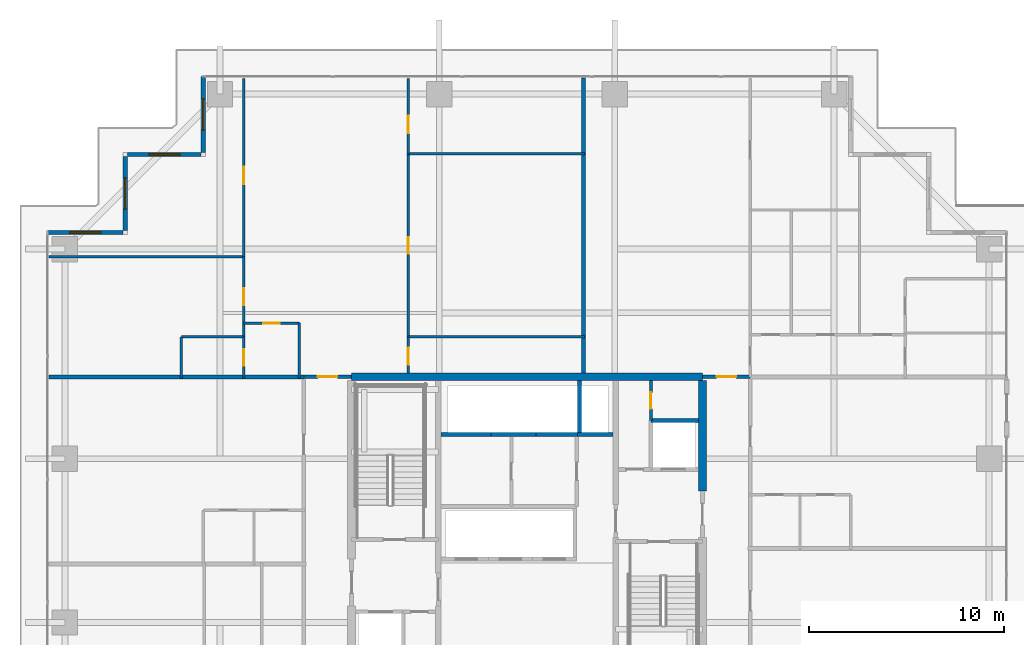
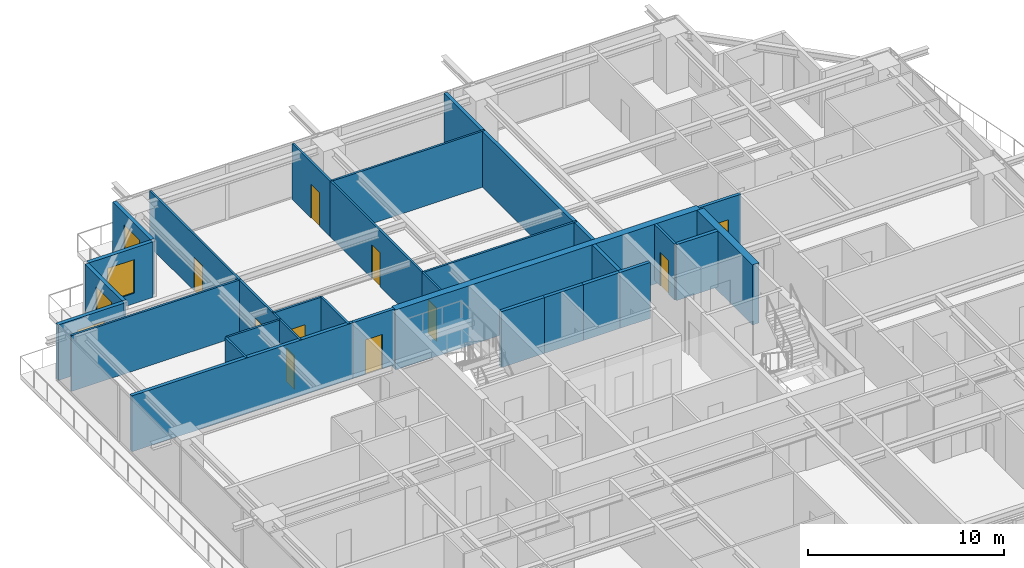
# One storey, part 29 of 36: 30 walls, 10 doors, 4 windows, 14 openings.
"""IFC4 building model written with IfcOpenShell, lengths in metres."""

from ifc_helpers import new_model, si_unit, direction, frame, frame_2d, origin, place, context, subcontext, project, spatial, rectangle, extrude, source, transform, mapped, material, layer, layer_set, type_object, element, fill, save


model = new_model("IFC4")

# Units and contexts
model_context = context("Model", 3, precision=1e-05, world=origin(), true_north=direction((0.0, 1.0)))
body_context = subcontext(model_context, "Body", "Model", "MODEL_VIEW")
ifc_project = project(units=[si_unit("LENGTHUNIT", "METRE"), si_unit("AREAUNIT", "SQUARE_METRE"), si_unit("VOLUMEUNIT", "CUBIC_METRE"), si_unit("PLANEANGLEUNIT", "RADIAN"), si_unit("MASSUNIT", "GRAM", prefix="KILO")], contexts=[model_context])

# Site, building, storey
site_placement = place(None, origin())
site = spatial("IfcSite", under=ifc_project, at=site_placement, CompositionType="ELEMENT")
building_placement = place(site_placement, origin())
building = spatial("IfcBuilding", under=site, at=building_placement, Name="Serunith Strait Residences", CompositionType="ELEMENT")
storey_placement = place(building_placement, frame((0.0, 0.0, 131.39990234375)))
storey = spatial("IfcBuildingStorey", under=building, at=storey_placement, Name="L32", CompositionType="ELEMENT", Elevation=131.39990234375)

# Wall, opening, window
ifc_material_1 = material(Name="Pale-Champagne Aluminium Insulated Panel", Category="aluminium")
ifc_layer_1 = layer(ifc_material_1, 0.219970703125, Name="Pale-Champagne Aluminium Insulated Panel")
ifc_layer_set_1 = layer_set([ifc_layer_1], Name="Pale-Champagne Aluminium Insulated Panel")
wall_type_1 = type_object("IfcWallType", Name="EW-ALUM-220", PredefinedType="ELEMENTEDWALL", material=ifc_layer_set_1)
wall_1_placement = place(storey_placement, frame((15.800048828125, 49.0, 0.0), z_axis=(0.0, 0.0, 1.0), x_axis=(0.0, -1.0, 0.0)))
wall_1 = element("IfcWall", 1, at=wall_1_placement, inside=storey, type_object=wall_type_1, Name="L32 Girih Serrated Corner Wall 12", PredefinedType="ELEMENTEDWALL", context=body_context, shape_type="SweptSolid", body=[
    extrude(rectangle(XDim=3.889892578125, YDim=0.219970703125, at=frame_2d((1.94482421875, 0.0))), origin(), (0.0, 0.0, 1.0), 3.47509765625),
])
opening_1_placement = place(wall_1_placement, frame((1.14501953125, 0.0, 0.64990234375)))
opening_1 = element("IfcOpeningElement", 2, at=opening_1_placement, cuts=wall_1, Name="Opening W-02", PredefinedType="OPENING", context=body_context, shape_type="SweptSolid", body=[
    extrude(rectangle(XDim=1.60009765625, YDim=2.10009765625, at=frame_2d((0.800048828125, 1.050048828125))), frame((0.0, 0.1201171875, 0.0), z_axis=(0.0, -1.0, 0.0), x_axis=(1.0, 0.0, 0.0)), (0.0, 0.0, 1.0), 0.239990234375),
])
ifc_material_2 = material(Name="Ceramic-Fritted Operable Aluminium Window Glass", Category="aluminium")
window_type = type_object("IfcWindowType", Name="WIN-C2", PartitioningType="DOUBLE_PANEL_VERTICAL", PredefinedType="WINDOW", material=ifc_material_2)
shared_shape_1 = source(origin(), body_context, "Body", "SweptSolid", [
    extrude(rectangle(XDim=1.60009765625, YDim=2.10009765625, at=frame_2d((0.800048828125, 1.050048828125))), frame((0.0, 0.030029296875, 0.0), z_axis=(0.0, -1.0, 0.0), x_axis=(1.0, 0.0, 0.0)), (0.0, 0.0, 1.0), 0.06005859375),
])
window_1_placement = place(opening_1_placement, origin())
window_1 = element("IfcWindow", 3, at=window_1_placement, inside=storey, type_object=window_type, Name="L32 Corner Operable Fritted Window 12", OverallHeight=2.10009765625, OverallWidth=1.60009765625, PartitioningType="SINGLE_PANEL", PredefinedType="WINDOW", context=body_context, shape_type="MappedRepresentation", body=[
    mapped(shared_shape_1, transform((0.0, 0.0, 0.0), scale=1.0)),
])
fill(opening_1, window_1)

wall_2_placement = place(storey_placement, frame((15.68994140625, 45.0, 0.0), z_axis=(0.0, 0.0, 1.0), x_axis=(-1.0, 0.0, 0.0)))
wall_2 = element("IfcWall", 4, at=wall_2_placement, inside=storey, type_object=wall_type_1, Name="L32 Girih Serrated Corner Wall 13", PredefinedType="ELEMENTEDWALL", context=body_context, shape_type="SweptSolid", body=[
    extrude(rectangle(XDim=3.780029296875, YDim=0.219970703125, at=frame_2d((1.89013671875, 0.0))), origin(), (0.0, 0.0, 1.0), 3.47509765625),
])
opening_2_placement = place(wall_2_placement, frame((1.090087890625, 0.0, 0.64990234375)))
opening_2 = element("IfcOpeningElement", 5, at=opening_2_placement, cuts=wall_2, Name="Opening W-02", PredefinedType="OPENING", context=body_context, shape_type="SweptSolid", body=[
    extrude(rectangle(XDim=1.60009765625, YDim=2.10009765625, at=frame_2d((0.800048828125, 1.050048828125))), frame((0.0, 0.1201171875, 0.0), z_axis=(0.0, -1.0, 0.0), x_axis=(1.0, 0.0, 0.0)), (0.0, 0.0, 1.0), 0.239990234375),
])
window_2_placement = place(opening_2_placement, origin())
window_2 = element("IfcWindow", 6, at=window_2_placement, inside=storey, type_object=window_type, Name="L32 Corner Operable Fritted Window 13", OverallHeight=2.10009765625, OverallWidth=1.60009765625, PartitioningType="SINGLE_PANEL", PredefinedType="WINDOW", context=body_context, shape_type="MappedRepresentation", body=[
    mapped(shared_shape_1, transform((0.0, 0.0, 0.0), scale=1.0)),
])
fill(opening_2, window_2)

wall_3_placement = place(storey_placement, frame((11.800048828125, 44.889892578125, 0.0), z_axis=(0.0, 0.0, 1.0), x_axis=(0.0, -1.0, 0.0)))
wall_3 = element("IfcWall", 7, at=wall_3_placement, inside=storey, type_object=wall_type_1, Name="L32 Girih Serrated Corner Wall 14", PredefinedType="ELEMENTEDWALL", context=body_context, shape_type="SweptSolid", body=[
    extrude(rectangle(XDim=3.77978515625, YDim=0.219970703125, at=frame_2d((1.889892578125, 0.0))), origin(), (0.0, 0.0, 1.0), 3.47509765625),
])
opening_3_placement = place(wall_3_placement, frame((1.090087890625, 0.0, 0.64990234375)))
opening_3 = element("IfcOpeningElement", 8, at=opening_3_placement, cuts=wall_3, Name="Opening W-02", PredefinedType="OPENING", context=body_context, shape_type="SweptSolid", body=[
    extrude(rectangle(XDim=1.60009765625, YDim=2.10009765625, at=frame_2d((0.800048828125, 1.050048828125))), frame((0.0, 0.1201171875, 0.0), z_axis=(0.0, -1.0, 0.0), x_axis=(1.0, 0.0, 0.0)), (0.0, 0.0, 1.0), 0.239990234375),
])
window_3_placement = place(opening_3_placement, origin())
window_3 = element("IfcWindow", 9, at=window_3_placement, inside=storey, type_object=window_type, Name="L32 Corner Operable Fritted Window 14", OverallHeight=2.10009765625, OverallWidth=1.60009765625, PartitioningType="SINGLE_PANEL", PredefinedType="WINDOW", context=body_context, shape_type="MappedRepresentation", body=[
    mapped(shared_shape_1, transform((0.0, 0.0, 0.0), scale=1.0)),
])
fill(opening_3, window_3)

wall_4_placement = place(storey_placement, frame((11.68994140625, 41.0, 0.0), z_axis=(0.0, 0.0, 1.0), x_axis=(-1.0, 0.0, 0.0)))
wall_4 = element("IfcWall", 10, at=wall_4_placement, inside=storey, type_object=wall_type_1, Name="L32 Girih Serrated Corner Wall 15", PredefinedType="ELEMENTEDWALL", context=body_context, shape_type="SweptSolid", body=[
    extrude(rectangle(XDim=3.889892578125, YDim=0.219970703125, at=frame_2d((1.94482421875, 0.0))), origin(), (0.0, 0.0, 1.0), 3.47509765625),
])
opening_4_placement = place(wall_4_placement, frame((1.14501953125, 0.0, 0.64990234375)))
opening_4 = element("IfcOpeningElement", 11, at=opening_4_placement, cuts=wall_4, Name="Opening W-02", PredefinedType="OPENING", context=body_context, shape_type="SweptSolid", body=[
    extrude(rectangle(XDim=1.60009765625, YDim=2.10009765625, at=frame_2d((0.800048828125, 1.050048828125))), frame((0.0, 0.1201171875, 0.0), z_axis=(0.0, -1.0, 0.0), x_axis=(1.0, 0.0, 0.0)), (0.0, 0.0, 1.0), 0.239990234375),
])
window_4_placement = place(opening_4_placement, origin())
window_4 = element("IfcWindow", 12, at=window_4_placement, inside=storey, type_object=window_type, Name="L32 Corner Operable Fritted Window 15", OverallHeight=2.10009765625, OverallWidth=1.60009765625, PartitioningType="SINGLE_PANEL", PredefinedType="WINDOW", context=body_context, shape_type="MappedRepresentation", body=[
    mapped(shared_shape_1, transform((0.0, 0.0, 0.0), scale=1.0)),
])
fill(opening_4, window_4)

# Wall, opening, door
ifc_material_3 = material(Name="Fire-rated masonry service closet wall", Category="masonry")
ifc_layer_2 = layer(ifc_material_3, 0.14990234375, Name="Fire-rated masonry service closet wall")
ifc_layer_set_2 = layer_set([ifc_layer_2], Name="Fire-rated masonry service closet wall")
wall_type_2 = type_object("IfcWallType", Name="IW-BOH-150", PredefinedType="PARTITIONING", material=ifc_layer_set_2)
wall_5_placement = place(storey_placement, frame((38.75, 31.35205078125, 0.0), z_axis=(0.0, 0.0, 1.0), x_axis=(0.0, 1.0, 0.0)))
wall_5 = element("IfcWall", 13, at=wall_5_placement, inside=storey, type_object=wall_type_2, Name="L32 Partition Wall 012", PredefinedType="PARTITIONING", context=body_context, shape_type="SweptSolid", body=[
    extrude(rectangle(XDim=2.0478515625, YDim=0.14990234375, at=frame_2d((1.02392578125, 0.0))), origin(), (0.0, 0.0, 1.0), 3.489990234375),
])
opening_5_placement = place(wall_5_placement, frame((0.59912109375, 0.0, 0.0)))
opening_5 = element("IfcOpeningElement", 14, at=opening_5_placement, cuts=wall_5, Name="Opening FD-850", PredefinedType="OPENING", context=body_context, shape_type="SweptSolid", body=[
    extrude(rectangle(XDim=0.85009765625, YDim=2.10009765625, at=frame_2d((0.425048828125, 1.050048828125))), frame((0.0, 0.0849609375, 0.0), z_axis=(0.0, -1.0, 0.0), x_axis=(1.0, 0.0, 0.0)), (0.0, 0.0, 1.0), 0.169921875),
])
ifc_material_4 = material(Name="Powder-coated steel service closet door", Category="steel")
door_type_1 = type_object("IfcDoorType", Name="FD-BOH-850", OperationType="NOTDEFINED", PredefinedType="DOOR", material=ifc_material_4)
shared_shape_2 = source(origin(), body_context, "Body", "SweptSolid", [
    extrude(rectangle(XDim=0.85009765625, YDim=2.10009765625, at=frame_2d((0.425048828125, 1.050048828125))), frame((0.0, 0.02490234375, 0.0), z_axis=(0.0, -1.0, 0.0), x_axis=(1.0, 0.0, 0.0)), (0.0, 0.0, 1.0), 0.050048828125),
])
door_1_placement = place(opening_5_placement, origin())
door_1 = element("IfcDoor", 15, at=door_1_placement, inside=storey, type_object=door_type_1, Name="L32 ELV Data Closet Door", OperationType="SINGLE_SWING_LEFT", OverallHeight=2.10009765625, OverallWidth=0.85009765625, PredefinedType="DOOR", context=body_context, shape_type="MappedRepresentation", body=[
    mapped(shared_shape_2, transform((0.0, 0.0, 0.0), scale=1.0)),
])
fill(opening_5, door_1)

ifc_material_5 = material(Name="Fire-rated acoustic gypsum partition")
ifc_layer_3 = layer(ifc_material_5, 0.179931640625, Name="Fire-rated acoustic gypsum partition")
ifc_layer_set_3 = layer_set([ifc_layer_3], Name="Fire-rated acoustic gypsum partition")
wall_type_3 = type_object("IfcWallType", Name="IW-CORR-180", PredefinedType="PARTITIONING", material=ifc_layer_set_3)
wall_6_placement = place(storey_placement, frame((20.951904296875, 33.60009765625, 0.0), z_axis=(0.0, 0.0, 1.0), x_axis=(1.0, 0.0, 0.0)))
wall_6 = element("IfcWall", 16, at=wall_6_placement, inside=storey, type_object=wall_type_3, Name="L32 Partition Wall 030", PredefinedType="PARTITIONING", context=body_context, shape_type="SweptSolid", body=[
    extrude(rectangle(XDim=2.446044921875, YDim=0.179931640625, at=frame_2d((1.22314453125, 0.0))), origin(), (0.0, 0.0, 1.0), 3.489990234375),
])
opening_6_placement = place(wall_6_placement, frame((0.722900390625, 0.0, 0.0)))
opening_6 = element("IfcOpeningElement", 17, at=opening_6_placement, cuts=wall_6, Name="Opening D-APT1000", PredefinedType="OPENING", context=body_context, shape_type="SweptSolid", body=[
    extrude(rectangle(XDim=1.0, YDim=2.14990234375, at=frame_2d((0.5, 1.074951171875))), frame((0.0, 0.10009765625, 0.0), z_axis=(0.0, -1.0, 0.0), x_axis=(1.0, 0.0, 0.0)), (0.0, 0.0, 1.0), 0.199951171875),
])
ifc_material_6 = material(Name="Solid timber engineered fire door", Category="wood")
door_type_2 = type_object("IfcDoorType", Name="ID-APT-1000", OperationType="NOTDEFINED", PredefinedType="DOOR", material=ifc_material_6)
shared_shape_3 = source(origin(), body_context, "Body", "SweptSolid", [
    extrude(rectangle(XDim=1.0, YDim=2.14990234375, at=frame_2d((0.5, 1.074951171875))), frame((0.0, 0.02490234375, 0.0), z_axis=(0.0, -1.0, 0.0), x_axis=(1.0, 0.0, 0.0)), (0.0, 0.0, 1.0), 0.050048828125),
])
door_2_placement = place(opening_6_placement, origin())
door_2 = element("IfcDoor", 18, at=door_2_placement, inside=storey, type_object=door_type_2, Name="L32 Unit 04 Entrance Door", OperationType="SINGLE_SWING_LEFT", OverallHeight=2.14990234375, OverallWidth=1.0, PredefinedType="DOOR", context=body_context, shape_type="MappedRepresentation", body=[
    mapped(shared_shape_3, transform((0.0, 0.0, 0.0), scale=1.0)),
])
fill(opening_6, door_2)

wall_7_placement = place(storey_placement, frame((41.402099609375, 33.60009765625, 0.0), z_axis=(0.0, 0.0, 1.0), x_axis=(1.0, 0.0, 0.0)))
wall_7 = element("IfcWall", 19, at=wall_7_placement, inside=storey, type_object=wall_type_3, Name="L32 Partition Wall 031", PredefinedType="PARTITIONING", context=body_context, shape_type="SweptSolid", body=[
    extrude(rectangle(XDim=2.44580078125, YDim=0.179931640625, at=frame_2d((1.222900390625, 0.0))), origin(), (0.0, 0.0, 1.0), 3.489990234375),
])
opening_7_placement = place(wall_7_placement, frame((0.722900390625, 0.0, 0.0)))
opening_7 = element("IfcOpeningElement", 20, at=opening_7_placement, cuts=wall_7, Name="Opening D-APT1000", PredefinedType="OPENING", context=body_context, shape_type="SweptSolid", body=[
    extrude(rectangle(XDim=1.0, YDim=2.14990234375, at=frame_2d((0.5, 1.074951171875))), frame((0.0, 0.10009765625, 0.0), z_axis=(0.0, -1.0, 0.0), x_axis=(1.0, 0.0, 0.0)), (0.0, 0.0, 1.0), 0.199951171875),
])
door_3_placement = place(opening_7_placement, origin())
door_3 = element("IfcDoor", 21, at=door_3_placement, inside=storey, type_object=door_type_2, Name="L32 Unit 05 Entrance Door", OperationType="SINGLE_SWING_RIGHT", OverallHeight=2.14990234375, OverallWidth=1.0, PredefinedType="DOOR", context=body_context, shape_type="MappedRepresentation", body=[
    mapped(shared_shape_3, transform((0.0, 0.0, 0.0), scale=1.0)),
])
fill(opening_7, door_3)

ifc_material_7 = material(Name="Lightweight steel-stud gypsum partition", Category="steel")
ifc_layer_4 = layer(ifc_material_7, 0.1201171875, Name="Lightweight steel-stud gypsum partition")
ifc_layer_set_4 = layer_set([ifc_layer_4], Name="Lightweight steel-stud gypsum partition")
wall_type_4 = type_object("IfcWallType", Name="IW-PART-120", PredefinedType="PARTITIONING", material=ifc_layer_set_4)
wall_8_placement = place(storey_placement, frame((17.8701171875, 36.35009765625, 0.0), z_axis=(0.0, 0.0, 1.0), x_axis=(1.0, 0.0, 0.0)))
wall_8 = element("IfcWall", 22, at=wall_8_placement, inside=storey, type_object=wall_type_4, Name="L32 Partition Wall 055", PredefinedType="PARTITIONING", context=body_context, shape_type="SweptSolid", body=[
    extrude(rectangle(XDim=2.849853515625, YDim=0.1201171875, at=frame_2d((1.4248046875, 0.0))), origin(), (0.0, 0.0, 1.0), 3.489990234375),
])
opening_8_placement = place(wall_8_placement, frame((1.0, 0.0, 0.0)))
opening_8 = element("IfcOpeningElement", 23, at=opening_8_placement, cuts=wall_8, Name="Opening D-RM850", PredefinedType="OPENING", context=body_context, shape_type="SweptSolid", body=[
    extrude(rectangle(XDim=0.85009765625, YDim=2.10009765625, at=frame_2d((0.425048828125, 1.050048828125))), frame((0.0, 0.070068359375, 0.0), z_axis=(0.0, -1.0, 0.0), x_axis=(1.0, 0.0, 0.0)), (0.0, 0.0, 1.0), 0.14013671875),
])
ifc_material_8 = material(Name="Engineered timber flush study and kitchen door", Category="wood")
door_type_3 = type_object("IfcDoorType", Name="ID-ROOM-850", OperationType="NOTDEFINED", PredefinedType="DOOR", material=ifc_material_8)
door_4_placement = place(opening_8_placement, origin())
door_4 = element("IfcDoor", 24, at=door_4_placement, inside=storey, type_object=door_type_3, Name="L32 Kitchen 3204 Door", OperationType="SINGLE_SWING_LEFT", OverallHeight=2.10009765625, OverallWidth=0.85009765625, PredefinedType="DOOR", context=body_context, shape_type="MappedRepresentation", body=[
    mapped(shared_shape_2, transform((0.0, 0.0, 0.0), scale=1.0)),
])
fill(opening_8, door_4)

# Wall
wall_9_placement = place(storey_placement, frame((20.719970703125, 36.35009765625, 0.0), z_axis=(0.0, 0.0, 1.0), x_axis=(0.0, -1.0, 0.0)))
element("IfcWall", 25, at=wall_9_placement, inside=storey, type_object=wall_type_4, Name="L32 Partition Wall 056", PredefinedType="PARTITIONING", context=body_context, shape_type="SweptSolid", body=[
    extrude(rectangle(XDim=2.81005859375, YDim=0.1201171875, at=frame_2d((1.405029296875, 0.0))), origin(), (0.0, 0.0, 1.0), 3.489990234375),
])

# Wall, opening, door
wall_10_placement = place(storey_placement, frame((17.8701171875, 48.905029296875, 0.0), z_axis=(0.0, 0.0, 1.0), x_axis=(0.0, -1.0, 0.0)))
wall_10 = element("IfcWall", 26, at=wall_10_placement, inside=storey, type_object=wall_type_4, Name="L32 Partition Wall 057", PredefinedType="PARTITIONING", context=body_context, shape_type="SweptSolid", body=[
    extrude(rectangle(XDim=9.14013671875, YDim=0.1201171875, at=frame_2d((4.570068359375, 0.0))), origin(), (0.0, 0.0, 1.0), 3.489990234375),
])
opening_9_placement = place(wall_10_placement, frame((4.531982421875, 0.0, 0.0)))
opening_9 = element("IfcOpeningElement", 27, at=opening_9_placement, cuts=wall_10, Name="Opening D-RM900", PredefinedType="OPENING", context=body_context, shape_type="SweptSolid", body=[
    extrude(rectangle(XDim=0.89990234375, YDim=2.10009765625, at=frame_2d((0.449951171875, 1.050048828125))), frame((0.0, 0.070068359375, 0.0), z_axis=(0.0, -1.0, 0.0), x_axis=(1.0, 0.0, 0.0)), (0.0, 0.0, 1.0), 0.14013671875),
])
ifc_material_9 = material(Name="Engineered timber flush bedroom door", Category="wood")
door_type_4 = type_object("IfcDoorType", Name="ID-ROOM-900", OperationType="NOTDEFINED", PredefinedType="DOOR", material=ifc_material_9)
shared_shape_4 = source(origin(), body_context, "Body", "SweptSolid", [
    extrude(rectangle(XDim=0.89990234375, YDim=2.10009765625, at=frame_2d((0.449951171875, 1.050048828125))), frame((0.0, 0.02490234375, 0.0), z_axis=(0.0, -1.0, 0.0), x_axis=(1.0, 0.0, 0.0)), (0.0, 0.0, 1.0), 0.050048828125),
])
door_5_placement = place(opening_9_placement, origin())
door_5 = element("IfcDoor", 28, at=door_5_placement, inside=storey, type_object=door_type_4, Name="L32 Master Bedroom 1 3204 Door", OperationType="SINGLE_SWING_RIGHT", OverallHeight=2.10009765625, OverallWidth=0.89990234375, PredefinedType="DOOR", context=body_context, shape_type="MappedRepresentation", body=[
    mapped(shared_shape_4, transform((0.0, 0.0, 0.0), scale=1.0)),
])
fill(opening_9, door_5)

# Walls
wall_11_placement = place(storey_placement, frame((7.89501953125, 39.764892578125, 0.0), z_axis=(0.0, 0.0, 1.0), x_axis=(1.0, 0.0, 0.0)))
element("IfcWall", 29, at=wall_11_placement, inside=storey, type_object=wall_type_4, Name="L32 Partition Wall 058", PredefinedType="PARTITIONING", context=body_context, shape_type="SweptSolid", body=[
    extrude(rectangle(XDim=9.97509765625, YDim=0.1201171875, at=frame_2d((4.987548828125, 0.0))), origin(), (0.0, 0.0, 1.0), 3.489990234375),
])
wall_12_placement = place(storey_placement, frame((14.669921875, 35.64990234375, 0.0), z_axis=(0.0, 0.0, 1.0), x_axis=(1.0, 0.0, 0.0)))
element("IfcWall", 30, at=wall_12_placement, inside=storey, type_object=wall_type_4, Name="L32 Partition Wall 059", PredefinedType="PARTITIONING", context=body_context, shape_type="SweptSolid", body=[
    extrude(rectangle(XDim=3.2001953125, YDim=0.1201171875, at=frame_2d((1.60009765625, 0.0))), origin(), (0.0, 0.0, 1.0), 3.489990234375),
])
wall_13_placement = place(storey_placement, frame((14.669921875, 35.64990234375, 0.0), z_axis=(0.0, 0.0, 1.0), x_axis=(0.0, -1.0, 0.0)))
element("IfcWall", 31, at=wall_13_placement, inside=storey, type_object=wall_type_4, Name="L32 Partition Wall 060", PredefinedType="PARTITIONING", context=body_context, shape_type="SweptSolid", body=[
    extrude(rectangle(XDim=2.10986328125, YDim=0.1201171875, at=frame_2d((1.054931640625, 0.0))), origin(), (0.0, 0.0, 1.0), 3.489990234375),
])

# Wall, opening, door
wall_14_placement = place(storey_placement, frame((17.8701171875, 39.762939453125, 0.0), z_axis=(0.0, 0.0, 1.0), x_axis=(0.0, -1.0, 0.0)))
wall_14 = element("IfcWall", 32, at=wall_14_placement, inside=storey, type_object=wall_type_4, Name="L32 Partition Wall 061", PredefinedType="PARTITIONING", context=body_context, shape_type="SweptSolid", body=[
    extrude(rectangle(XDim=4.113037109375, YDim=0.1201171875, at=frame_2d((2.056640625, 0.0))), origin(), (0.0, 0.0, 1.0), 3.489990234375),
])
opening_10_placement = place(wall_14_placement, frame((1.631103515625, 0.0, 0.0)))
opening_10 = element("IfcOpeningElement", 33, at=opening_10_placement, cuts=wall_14, Name="Opening D-RM850", PredefinedType="OPENING", context=body_context, shape_type="SweptSolid", body=[
    extrude(rectangle(XDim=0.85009765625, YDim=2.10009765625, at=frame_2d((0.425048828125, 1.050048828125))), frame((0.0, 0.070068359375, 0.0), z_axis=(0.0, -1.0, 0.0), x_axis=(1.0, 0.0, 0.0)), (0.0, 0.0, 1.0), 0.14013671875),
])
door_6_placement = place(opening_10_placement, origin())
door_6 = element("IfcDoor", 34, at=door_6_placement, inside=storey, type_object=door_type_3, Name="L32 Walk-in Wardrobe 3204 Door", OperationType="SINGLE_SWING_LEFT", OverallHeight=2.10009765625, OverallWidth=0.85009765625, PredefinedType="DOOR", context=body_context, shape_type="MappedRepresentation", body=[
    mapped(shared_shape_2, transform((0.0, 0.0, 0.0), scale=1.0)),
])
fill(opening_10, door_6)

wall_15_placement = place(storey_placement, frame((17.8701171875, 35.64794921875, 0.0), z_axis=(0.0, 0.0, 1.0), x_axis=(0.0, -1.0, 0.0)))
wall_15 = element("IfcWall", 35, at=wall_15_placement, inside=storey, type_object=wall_type_4, Name="L32 Partition Wall 062", PredefinedType="PARTITIONING", context=body_context, shape_type="SweptSolid", body=[
    extrude(rectangle(XDim=2.10791015625, YDim=0.1201171875, at=frame_2d((1.053955078125, 0.0))), origin(), (0.0, 0.0, 1.0), 3.489990234375),
])
opening_11_placement = place(wall_15_placement, frame((0.62890625, 0.0, 0.0)))
opening_11 = element("IfcOpeningElement", 36, at=opening_11_placement, cuts=wall_15, Name="Opening D-BTH850", PredefinedType="OPENING", context=body_context, shape_type="SweptSolid", body=[
    extrude(rectangle(XDim=0.85009765625, YDim=2.10009765625, at=frame_2d((0.425048828125, 1.050048828125))), frame((0.0, 0.070068359375, 0.0), z_axis=(0.0, -1.0, 0.0), x_axis=(1.0, 0.0, 0.0)), (0.0, 0.0, 1.0), 0.14013671875),
])
ifc_material_10 = material(Name="Moisture-resistant timber bathroom door", Category="wood")
door_type_5 = type_object("IfcDoorType", Name="ID-BATH-850", OperationType="NOTDEFINED", PredefinedType="DOOR", material=ifc_material_10)
door_7_placement = place(opening_11_placement, origin())
door_7 = element("IfcDoor", 37, at=door_7_placement, inside=storey, type_object=door_type_5, Name="L32 Bathroom 3204 Door", OperationType="SINGLE_SWING_RIGHT", OverallHeight=2.10009765625, OverallWidth=0.85009765625, PredefinedType="DOOR", context=body_context, shape_type="MappedRepresentation", body=[
    mapped(shared_shape_2, transform((0.0, 0.0, 0.0), scale=1.0)),
])
fill(opening_11, door_7)

wall_16_placement = place(storey_placement, frame((26.300048828125, 48.905029296875, 0.0), z_axis=(0.0, 0.0, 1.0), x_axis=(0.0, -1.0, 0.0)))
wall_16 = element("IfcWall", 38, at=wall_16_placement, inside=storey, type_object=wall_type_4, Name="L32 Partition Wall 063", PredefinedType="PARTITIONING", context=body_context, shape_type="SweptSolid", body=[
    extrude(rectangle(XDim=3.867919921875, YDim=0.1201171875, at=frame_2d((1.93408203125, 0.0))), origin(), (0.0, 0.0, 1.0), 3.489990234375),
])
opening_12_placement = place(wall_16_placement, frame((1.912109375, 0.0, 0.0)))
opening_12 = element("IfcOpeningElement", 39, at=opening_12_placement, cuts=wall_16, Name="Opening D-RM900", PredefinedType="OPENING", context=body_context, shape_type="SweptSolid", body=[
    extrude(rectangle(XDim=0.89990234375, YDim=2.10009765625, at=frame_2d((0.449951171875, 1.050048828125))), frame((0.0, 0.070068359375, 0.0), z_axis=(0.0, -1.0, 0.0), x_axis=(1.0, 0.0, 0.0)), (0.0, 0.0, 1.0), 0.14013671875),
])
door_8_placement = place(opening_12_placement, origin())
door_8 = element("IfcDoor", 40, at=door_8_placement, inside=storey, type_object=door_type_4, Name="L32 Bedroom 2 3204 Door", OperationType="SINGLE_SWING_LEFT", OverallHeight=2.10009765625, OverallWidth=0.89990234375, PredefinedType="DOOR", context=body_context, shape_type="MappedRepresentation", body=[
    mapped(shared_shape_4, transform((0.0, 0.0, 0.0), scale=1.0)),
])
fill(opening_12, door_8)

# Walls
for number, where, z_axis, x_axis, name in (
    (41, (26.300048828125, 45.037109375, 0.0), (0.0, 0.0, 1.0), (1.0, 0.0, 0.0), "L32 Partition Wall 064"),
    (42, (26.300048828125, 35.64990234375, 0.0), (0.0, 0.0, 1.0), (1.0, 0.0, 0.0), "L32 Partition Wall 065"),
):
    element("IfcWall", number, at=place(storey_placement, frame(where, z_axis=z_axis, x_axis=x_axis)), inside=storey, type_object=wall_type_4, Name=name, PredefinedType="PARTITIONING", context=body_context, shape_type="SweptSolid", body=[
        extrude(rectangle(XDim=9.06005859375, YDim=0.1201171875, at=frame_2d((4.530029296875, 0.0))), origin(), (0.0, 0.0, 1.0), 3.489990234375),
    ])

# Wall, opening, door
wall_17_placement = place(storey_placement, frame((26.300048828125, 45.034912109375, 0.0), z_axis=(0.0, 0.0, 1.0), x_axis=(0.0, -1.0, 0.0)))
wall_17 = element("IfcWall", 43, at=wall_17_placement, inside=storey, type_object=wall_type_4, Name="L32 Partition Wall 066", PredefinedType="PARTITIONING", context=body_context, shape_type="SweptSolid", body=[
    extrude(rectangle(XDim=9.385009765625, YDim=0.1201171875, at=frame_2d((4.6923828125, 0.0))), origin(), (0.0, 0.0, 1.0), 3.489990234375),
])
opening_13_placement = place(wall_17_placement, frame((4.26708984375, 0.0, 0.0)))
opening_13 = element("IfcOpeningElement", 44, at=opening_13_placement, cuts=wall_17, Name="Opening D-RM850", PredefinedType="OPENING", context=body_context, shape_type="SweptSolid", body=[
    extrude(rectangle(XDim=0.85009765625, YDim=2.10009765625, at=frame_2d((0.425048828125, 1.050048828125))), frame((0.0, 0.070068359375, 0.0), z_axis=(0.0, -1.0, 0.0), x_axis=(1.0, 0.0, 0.0)), (0.0, 0.0, 1.0), 0.14013671875),
])
door_9_placement = place(opening_13_placement, origin())
door_9 = element("IfcDoor", 45, at=door_9_placement, inside=storey, type_object=door_type_3, Name="L32 Walk-in Wardrobe 3204 Door", OperationType="SINGLE_SWING_RIGHT", OverallHeight=2.10009765625, OverallWidth=0.85009765625, PredefinedType="DOOR", context=body_context, shape_type="MappedRepresentation", body=[
    mapped(shared_shape_2, transform((0.0, 0.0, 0.0), scale=1.0)),
])
fill(opening_13, door_9)

wall_18_placement = place(storey_placement, frame((26.300048828125, 35.64794921875, 0.0), z_axis=(0.0, 0.0, 1.0), x_axis=(0.0, -1.0, 0.0)))
wall_18 = element("IfcWall", 46, at=wall_18_placement, inside=storey, type_object=wall_type_4, Name="L32 Partition Wall 067", PredefinedType="PARTITIONING", context=body_context, shape_type="SweptSolid", body=[
    extrude(rectangle(XDim=1.847900390625, YDim=0.1201171875, at=frame_2d((0.923828125, 0.0))), origin(), (0.0, 0.0, 1.0), 3.489990234375),
])
opening_14_placement = place(wall_18_placement, frame((0.569091796875, 0.0, 0.0)))
opening_14 = element("IfcOpeningElement", 47, at=opening_14_placement, cuts=wall_18, Name="Opening D-BTH850", PredefinedType="OPENING", context=body_context, shape_type="SweptSolid", body=[
    extrude(rectangle(XDim=0.85009765625, YDim=2.10009765625, at=frame_2d((0.425048828125, 1.050048828125))), frame((0.0, 0.070068359375, 0.0), z_axis=(0.0, -1.0, 0.0), x_axis=(1.0, 0.0, 0.0)), (0.0, 0.0, 1.0), 0.14013671875),
])
door_10_placement = place(opening_14_placement, origin())
door_10 = element("IfcDoor", 48, at=door_10_placement, inside=storey, type_object=door_type_5, Name="L32 Bathroom 3204 Door", OperationType="SINGLE_SWING_LEFT", OverallHeight=2.10009765625, OverallWidth=0.85009765625, PredefinedType="DOOR", context=body_context, shape_type="MappedRepresentation", body=[
    mapped(shared_shape_2, transform((0.0, 0.0, 0.0), scale=1.0)),
])
fill(opening_14, door_10)

# Walls
ifc_material_11 = material(Name="Twin-stud acoustic gypsum board partition")
ifc_layer_5 = layer(ifc_material_11, 0.199951171875, Name="Twin-stud acoustic gypsum board partition")
ifc_layer_set_5 = layer_set([ifc_layer_5], Name="Twin-stud acoustic gypsum board partition")
wall_type_5 = type_object("IfcWallType", Name="IW-PARTY-200", PredefinedType="PARTITIONING", material=ifc_layer_set_5)
wall_19_placement = place(storey_placement, frame((35.300048828125, 33.800048828125, 0.0), z_axis=(0.0, 0.0, 1.0), x_axis=(0.0, 1.0, 0.0)))
element("IfcWall", 49, at=wall_19_placement, inside=storey, type_object=wall_type_5, Name="L32 Partition Wall 020", PredefinedType="PARTITIONING", context=body_context, shape_type="SweptSolid", body=[
    extrude(rectangle(XDim=15.117919921875, YDim=0.199951171875, at=frame_2d((7.55908203125, 0.0))), origin(), (0.0, 0.0, 1.0), 3.489990234375),
])
wall_20_placement = place(storey_placement, frame((7.882080078125, 33.60009765625, 0.0), z_axis=(0.0, 0.0, 1.0), x_axis=(1.0, 0.0, 0.0)))
element("IfcWall", 50, at=wall_20_placement, inside=storey, type_object=wall_type_5, Name="L32 Partition Wall 025", PredefinedType="PARTITIONING", context=body_context, shape_type="SweptSolid", body=[
    extrude(rectangle(XDim=13.06787109375, YDim=0.199951171875, at=frame_2d((6.533935546875, 0.0))), origin(), (0.0, 0.0, 1.0), 3.489990234375),
])
ifc_material_12 = material(Name="Autoclaved aerated concrete blockwork", Category="masonry")
ifc_layer_6 = layer(ifc_material_12, 0.199951171875, Name="Autoclaved aerated concrete blockwork")
ifc_layer_set_6 = layer_set([ifc_layer_6], Name="Autoclaved aerated concrete blockwork")
wall_type_6 = type_object("IfcWallType", Name="IW-SHAFT-200", PredefinedType="STANDARD", material=ifc_layer_set_6)
wall_21_placement = place(storey_placement, frame((28.0, 30.64990234375, 0.0), z_axis=(0.0, 0.0, 1.0), x_axis=(1.0, 0.0, 0.0)))
element("IfcWall", 51, at=wall_21_placement, inside=storey, type_object=wall_type_6, Name="L32 PL-7 South Shaft Wall", PredefinedType="STANDARD", context=body_context, shape_type="SweptSolid", body=[
    extrude(rectangle(XDim=2.550048828125, YDim=0.199951171875, at=frame_2d((1.27490234375, 0.0))), origin(), (0.0, 0.0, 1.0), 3.489990234375),
])
wall_22_placement = place(storey_placement, frame((30.550048828125, 30.64990234375, 0.0), z_axis=(0.0, 0.0, 1.0), x_axis=(1.0, 0.0, 0.0)))
element("IfcWall", 52, at=wall_22_placement, inside=storey, type_object=wall_type_6, Name="L32 PL-8 South Shaft Wall", PredefinedType="STANDARD", context=body_context, shape_type="SweptSolid", body=[
    extrude(rectangle(XDim=2.300048828125, YDim=0.199951171875, at=frame_2d((1.14990234375, 0.0))), origin(), (0.0, 0.0, 1.0), 3.489990234375),
])
wall_23_placement = place(storey_placement, frame((32.85009765625, 30.64990234375, 0.0), z_axis=(0.0, 0.0, 1.0), x_axis=(1.0, 0.0, 0.0)))
element("IfcWall", 53, at=wall_23_placement, inside=storey, type_object=wall_type_6, Name="L32 PL-9 South Shaft Wall", PredefinedType="STANDARD", context=body_context, shape_type="SweptSolid", body=[
    extrude(rectangle(XDim=2.14990234375, YDim=0.199951171875, at=frame_2d((1.074951171875, 0.0))), origin(), (0.0, 0.0, 1.0), 3.489990234375),
])
wall_24_placement = place(storey_placement, frame((35.0, 30.64990234375, 0.0), z_axis=(0.0, 0.0, 1.0), x_axis=(1.0, 0.0, 0.0)))
element("IfcWall", 54, at=wall_24_placement, inside=storey, type_object=wall_type_6, Name="L32 SL-1 South Shaft Wall", PredefinedType="STANDARD", context=body_context, shape_type="SweptSolid", body=[
    extrude(rectangle(XDim=1.800048828125, YDim=0.199951171875, at=frame_2d((0.89990234375, 0.0))), origin(), (0.0, 0.0, 1.0), 3.489990234375),
])
wall_25_placement = place(storey_placement, frame((35.10009765625, 30.75, 0.0), z_axis=(0.0, 0.0, 1.0), x_axis=(0.0, 1.0, 0.0)))
element("IfcWall", 55, at=wall_25_placement, inside=storey, type_object=wall_type_6, Name="L32 SL-1 West Shaft Wall", PredefinedType="STANDARD", context=body_context, shape_type="SweptSolid", body=[
    extrude(rectangle(XDim=2.64990234375, YDim=0.199951171875, at=frame_2d((1.324951171875, 0.0))), origin(), (0.0, 0.0, 1.0), 3.489990234375),
])
wall_26_placement = place(storey_placement, frame((38.75, 31.35009765625, 0.0), z_axis=(0.0, 0.0, 1.0), x_axis=(1.0, 0.0, 0.0)))
element("IfcWall", 56, at=wall_26_placement, inside=storey, type_object=wall_type_6, Name="L32 Partition Wall 005", PredefinedType="STANDARD", context=body_context, shape_type="SweptSolid", body=[
    extrude(rectangle(XDim=2.449951171875, YDim=0.199951171875, at=frame_2d((1.22509765625, 0.0))), origin(), (0.0, 0.0, 1.0), 3.489990234375),
])
ifc_material_13 = material(Name="Concrete C70/85", Category="concrete")
ifc_layer_7 = layer(ifc_material_13, 0.39990234375, Name="Concrete C70/85")
ifc_layer_set_7 = layer_set([ifc_layer_7], Name="Concrete C70/85")
wall_type_7 = type_object("IfcWallType", Name="SW-400-C70", PredefinedType="SHEAR", material=ifc_layer_set_7)
wall_27_placement = place(storey_placement, frame((41.39990234375, 33.60009765625, -0.260009765625), z_axis=(0.0, 0.0, 1.0), x_axis=(-1.0, 0.0, 0.0)))
element("IfcWall", 57, at=wall_27_placement, inside=storey, type_object=wall_type_7, Name="L32 Core North Shear Wall", PredefinedType="SHEAR", context=body_context, shape_type="SweptSolid", body=[
    extrude(rectangle(XDim=18.0, YDim=0.39990234375, at=frame_2d((9.0, 0.0))), origin(), (0.0, 0.0, 1.0), 3.748046875),
])
wall_28_placement = place(storey_placement, frame((41.39990234375, 27.75, -0.260009765625), z_axis=(0.0, 0.0, 1.0), x_axis=(0.0, 1.0, 0.0)))
element("IfcWall", 58, at=wall_28_placement, inside=storey, type_object=wall_type_7, Name="L32 Core East Shear Wall North Pier", PredefinedType="SHEAR", context=body_context, shape_type="SweptSolid", body=[
    extrude(rectangle(XDim=5.64990234375, YDim=0.39990234375, at=frame_2d((2.824951171875, 0.0))), origin(), (0.0, 0.0, 1.0), 3.748046875),
])

save(model, "model.ifc")
